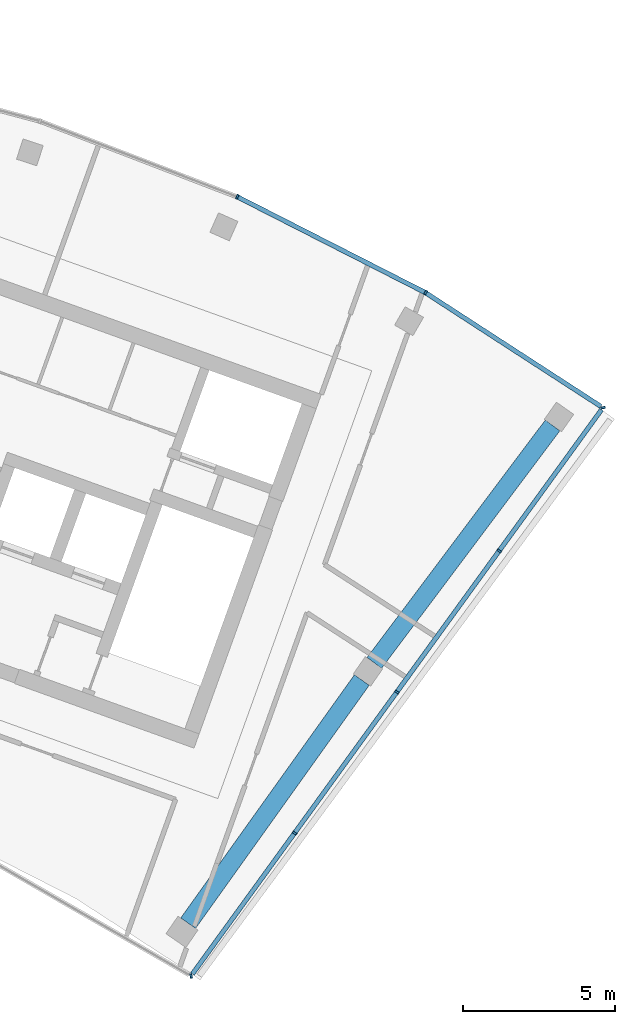
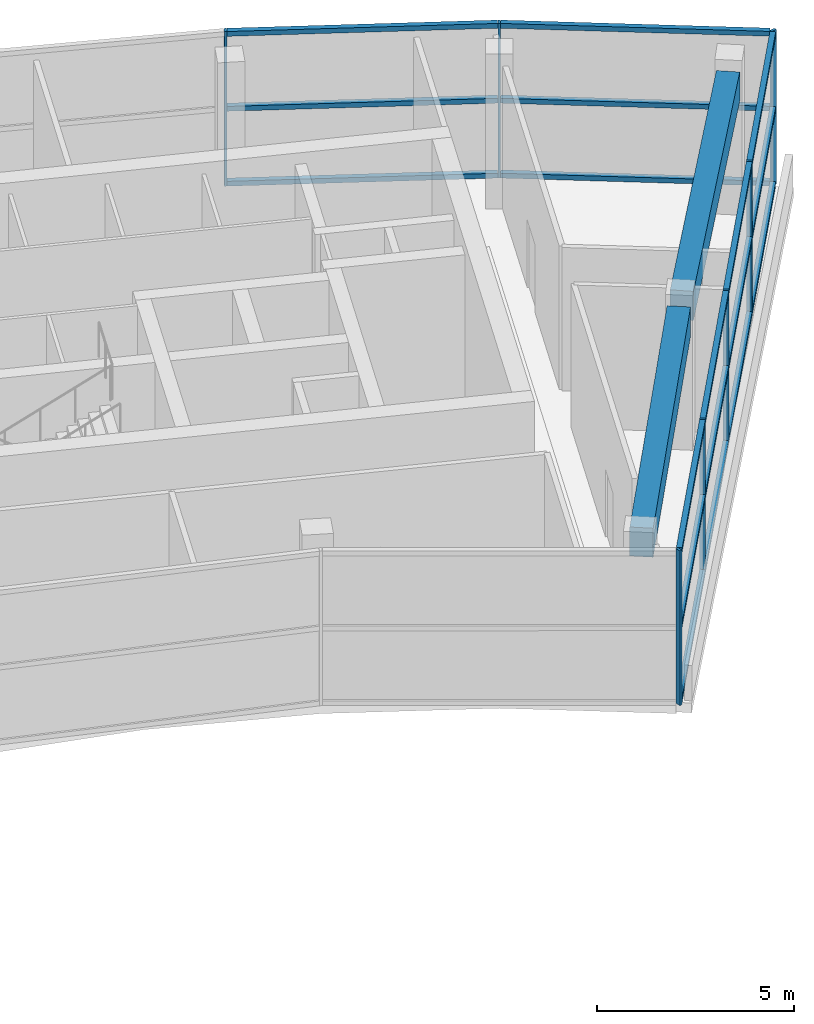
# One storey, part 6 of 13: 25 members, 2 beams, 2 elements without a shape of their own.
"""IFC4 building model written with IfcOpenShell, lengths in metres."""

from ifc_helpers import new_model, si_unit, direction, frame, origin, origin_2d, place, context, subcontext, project, spatial, rectangle, extrude, material, layer, layer_set, material_profile, profile_set, type_object, element, aggregate, save


model = new_model("IFC4")

# Units and contexts
model_context = context("Model", 3, precision=1e-05, world=origin(), true_north=direction((0.0, 1.0)))
body_context = subcontext(model_context, "Body", "Model", "MODEL_VIEW")
ifc_project = project(units=[si_unit("LENGTHUNIT", "METRE"), si_unit("AREAUNIT", "SQUARE_METRE"), si_unit("VOLUMEUNIT", "CUBIC_METRE"), si_unit("PLANEANGLEUNIT", "RADIAN"), si_unit("MASSUNIT", "GRAM", prefix="KILO")], contexts=[model_context])

# Site, building, storey
site_placement = place(None, origin())
site = spatial("IfcSite", under=ifc_project, at=site_placement, CompositionType="ELEMENT")
building_placement = place(site_placement, origin())
building = spatial("IfcBuilding", under=site, at=building_placement, Name="Stone Belt Terrace Tower", CompositionType="ELEMENT")
storey_placement = place(building_placement, frame((0.0, 0.0, 332.60009765625)))
storey = spatial("IfcBuildingStorey", under=building, at=storey_placement, Name="L79", CompositionType="ELEMENT", Elevation=332.60009765625)

# Curtain wall, members
ifc_material_1 = material(Name="Aluminium 6063-T6 anodised frame", Category="aluminium")
ifc_layer = layer(ifc_material_1, 0.14990234375)
ifc_layer_set = layer_set([ifc_layer], Name="CW-F observation floor curtain wall")
curtain_wall_type = type_object("IfcCurtainWallType", Name="CW-F observation floor curtain wall", PredefinedType="NOTDEFINED", material=ifc_layer_set)
curtain_wall_1_placement = place(storey_placement, origin())
curtain_wall_1 = element("IfcCurtainWall", 1, at=curtain_wall_1_placement, inside=storey, type_object=curtain_wall_type, Name="CW-F end face L79", PredefinedType="NOTDEFINED")
ifc_material_profile_1 = material_profile(ifc_material_1, rectangle(XDim=0.14990234375, YDim=0.070068359375, at=origin_2d()), Name="Aluminium 6063-T6 70x150")
ifc_profile_set_1 = profile_set([ifc_material_profile_1], Name="Aluminium 6063-T6 anodised frame")
member_type_1 = type_object("IfcMemberType", Name="CW-F mullion 70 x 150", PredefinedType="MULLION", material=ifc_profile_set_1)
member_1_placement = place(storey_placement, frame((25.552978515625, 35.1201171875, 0.0), z_axis=(0.0, 0.0, 1.0), x_axis=(-0.208678839388, 0.977984223795, 0.0)))
member_1 = element("IfcMember", 2, at=member_1_placement, type_object=member_type_1, Name="CW-F mullion 1", PredefinedType="MULLION", context=body_context, shape_type="SweptSolid", body=[
    extrude(rectangle(XDim=0.14990234375, YDim=0.070068359375, at=origin_2d()), origin(), (0.0, 0.0, 1.0), 4.7998046875),
])
member_2_placement = place(storey_placement, frame((28.967529296875, 39.830322265625, 0.0), z_axis=(0.0, 0.0, 1.0), x_axis=(-0.809631259696, 0.586938858249, 0.0)))
member_2 = element("IfcMember", 3, at=member_2_placement, type_object=member_type_1, Name="CW-F mullion 2", PredefinedType="MULLION", context=body_context, shape_type="SweptSolid", body=[
    extrude(rectangle(XDim=0.14990234375, YDim=0.070068359375, at=origin_2d()), origin(), (0.0, 0.0, 1.0), 4.7998046875),
])
member_3_placement = place(storey_placement, frame((32.34228515625, 44.485595703125, 0.0), z_axis=(0.0, 0.0, 1.0), x_axis=(-0.809631259696, 0.586938858249, 0.0)))
member_3 = element("IfcMember", 4, at=member_3_placement, type_object=member_type_1, Name="CW-F mullion 3", PredefinedType="MULLION", context=body_context, shape_type="SweptSolid", body=[
    extrude(rectangle(XDim=0.14990234375, YDim=0.070068359375, at=origin_2d()), origin(), (0.0, 0.0, 1.0), 4.7998046875),
])
member_4_placement = place(storey_placement, frame((35.71728515625, 49.14111328125, 0.0), z_axis=(0.0, 0.0, 1.0), x_axis=(-0.809631259696, 0.586938858249, 0.0)))
member_4 = element("IfcMember", 5, at=member_4_placement, type_object=member_type_1, Name="CW-F mullion 4", PredefinedType="MULLION", context=body_context, shape_type="SweptSolid", body=[
    extrude(rectangle(XDim=0.14990234375, YDim=0.070068359375, at=origin_2d()), origin(), (0.0, 0.0, 1.0), 4.7998046875),
])

curtain_wall_2_placement = place(storey_placement, origin())
curtain_wall_2 = element("IfcCurtainWall", 6, at=curtain_wall_2_placement, inside=storey, type_object=curtain_wall_type, Name="CW-F convex face L79", PredefinedType="NOTDEFINED")
member_5_placement = place(storey_placement, frame((39.138427734375, 53.8603515625, 0.0), z_axis=(0.0, 0.0, 1.0), x_axis=(-0.983111668219, -0.183006687889, 0.0)))
member_5 = element("IfcMember", 7, at=member_5_placement, type_object=member_type_1, Name="CW-F mullion 1", PredefinedType="MULLION", context=body_context, shape_type="SweptSolid", body=[
    extrude(rectangle(XDim=0.14990234375, YDim=0.070068359375, at=origin_2d()), origin(), (0.0, 0.0, 1.0), 4.7998046875),
])
member_6_placement = place(storey_placement, frame((33.28759765625, 57.65576171875, 0.0), z_axis=(0.0, 0.0, 1.0), x_axis=(-0.499773559824, -0.866156099615, 0.0)))
member_6 = element("IfcMember", 8, at=member_6_placement, type_object=member_type_1, Name="CW-F mullion 2", PredefinedType="MULLION", context=body_context, shape_type="SweptSolid", body=[
    extrude(rectangle(XDim=0.14990234375, YDim=0.070068359375, at=origin_2d()), origin(), (0.0, 0.0, 1.0), 4.7998046875),
])
member_7_placement = place(storey_placement, frame((27.07861328125, 60.8193359375, 0.0), z_axis=(0.0, 0.0, 1.0), x_axis=(-0.406736643076, -0.913545457643, 0.0)))
member_7 = element("IfcMember", 9, at=member_7_placement, type_object=member_type_1, Name="CW-F mullion 3", PredefinedType="MULLION", context=body_context, shape_type="SweptSolid", body=[
    extrude(rectangle(XDim=0.14990234375, YDim=0.070068359375, at=origin_2d()), origin(), (0.0, 0.0, 1.0), 4.7998046875),
])

# Member
ifc_material_profile_2 = material_profile(ifc_material_1, rectangle(XDim=0.14990234375, YDim=0.14990234375, at=origin_2d()), Name="Aluminium 6063-T6 150x150")
ifc_profile_set_2 = profile_set([ifc_material_profile_2], Name="Aluminium 6063-T6 anodised frame")
member_type_2 = type_object("IfcMemberType", Name="CW-F transom 150 x 150", PredefinedType="USERDEFINED", material=ifc_profile_set_2)
member_8_placement = place(storey_placement, frame((25.59765625, 35.181884765625, 0.074951171875), z_axis=(0.586942332435, 0.809628741088, 0.0), x_axis=(-0.809628741088, 0.586942332435, 0.0)))
member_8 = element("IfcMember", 10, at=member_8_placement, type_object=member_type_2, Name="CW-F transom 1.1", ObjectType="TRANSOM", PredefinedType="USERDEFINED", context=body_context, shape_type="SweptSolid", body=[
    extrude(rectangle(XDim=0.14990234375, YDim=0.14990234375, at=origin_2d()), origin(), (0.0, 0.0, 1.0), 5.70654296875),
])

member_9_placement = place(storey_placement, frame((25.59765625, 35.181884765625, 2.39990234375), z_axis=(0.586942332435, 0.809628741088, 0.0), x_axis=(-0.809628741088, 0.586942332435, 0.0)))
member_9 = element("IfcMember", 11, at=member_9_placement, type_object=member_type_2, Name="CW-F transom 1.2", ObjectType="TRANSOM", PredefinedType="USERDEFINED", context=body_context, shape_type="SweptSolid", body=[
    extrude(rectangle(XDim=0.14990234375, YDim=0.14990234375, at=origin_2d()), origin(), (0.0, 0.0, 1.0), 5.70654296875),
])

member_10_placement = place(storey_placement, frame((25.59765625, 35.181884765625, 4.724853515625), z_axis=(0.586942332435, 0.809628741088, 0.0), x_axis=(-0.809628741088, 0.586942332435, 0.0)))
member_10 = element("IfcMember", 12, at=member_10_placement, type_object=member_type_2, Name="CW-F transom 1.3", ObjectType="TRANSOM", PredefinedType="USERDEFINED", context=body_context, shape_type="SweptSolid", body=[
    extrude(rectangle(XDim=0.14990234375, YDim=0.14990234375, at=origin_2d()), origin(), (0.0, 0.0, 1.0), 5.70654296875),
])

member_11_placement = place(storey_placement, frame((28.988037109375, 39.858642578125, 0.074951171875), z_axis=(0.586936579405, 0.80963291173, 0.0), x_axis=(-0.80963291173, 0.586936579405, 0.0)))
member_11 = element("IfcMember", 13, at=member_11_placement, type_object=member_type_2, Name="CW-F transom 2.1", ObjectType="TRANSOM", PredefinedType="USERDEFINED", context=body_context, shape_type="SweptSolid", body=[
    extrude(rectangle(XDim=0.14990234375, YDim=0.14990234375, at=origin_2d()), origin(), (0.0, 0.0, 1.0), 5.679931640625),
])

member_12_placement = place(storey_placement, frame((28.988037109375, 39.858642578125, 2.39990234375), z_axis=(0.586936579405, 0.80963291173, 0.0), x_axis=(-0.80963291173, 0.586936579405, 0.0)))
member_12 = element("IfcMember", 14, at=member_12_placement, type_object=member_type_2, Name="CW-F transom 2.2", ObjectType="TRANSOM", PredefinedType="USERDEFINED", context=body_context, shape_type="SweptSolid", body=[
    extrude(rectangle(XDim=0.14990234375, YDim=0.14990234375, at=origin_2d()), origin(), (0.0, 0.0, 1.0), 5.679931640625),
])

member_13_placement = place(storey_placement, frame((28.988037109375, 39.858642578125, 4.724853515625), z_axis=(0.586936579405, 0.80963291173, 0.0), x_axis=(-0.80963291173, 0.586936579405, 0.0)))
member_13 = element("IfcMember", 15, at=member_13_placement, type_object=member_type_2, Name="CW-F transom 2.3", ObjectType="TRANSOM", PredefinedType="USERDEFINED", context=body_context, shape_type="SweptSolid", body=[
    extrude(rectangle(XDim=0.14990234375, YDim=0.14990234375, at=origin_2d()), origin(), (0.0, 0.0, 1.0), 5.679931640625),
])

member_14_placement = place(storey_placement, frame((32.36279296875, 44.513916015625, 0.074951171875), z_axis=(0.586944328895, 0.809627293746, 0.0), x_axis=(-0.809627293746, 0.586944328895, 0.0)))
member_14 = element("IfcMember", 16, at=member_14_placement, type_object=member_type_2, Name="CW-F transom 3.1", ObjectType="TRANSOM", PredefinedType="USERDEFINED", context=body_context, shape_type="SweptSolid", body=[
    extrude(rectangle(XDim=0.14990234375, YDim=0.14990234375, at=origin_2d()), origin(), (0.0, 0.0, 1.0), 5.68017578125),
])

member_15_placement = place(storey_placement, frame((32.36279296875, 44.513916015625, 2.39990234375), z_axis=(0.586944328895, 0.809627293746, 0.0), x_axis=(-0.809627293746, 0.586944328895, 0.0)))
member_15 = element("IfcMember", 17, at=member_15_placement, type_object=member_type_2, Name="CW-F transom 3.2", ObjectType="TRANSOM", PredefinedType="USERDEFINED", context=body_context, shape_type="SweptSolid", body=[
    extrude(rectangle(XDim=0.14990234375, YDim=0.14990234375, at=origin_2d()), origin(), (0.0, 0.0, 1.0), 5.68017578125),
])

member_16_placement = place(storey_placement, frame((32.36279296875, 44.513916015625, 4.724853515625), z_axis=(0.586944328895, 0.809627293746, 0.0), x_axis=(-0.809627293746, 0.586944328895, 0.0)))
member_16 = element("IfcMember", 18, at=member_16_placement, type_object=member_type_2, Name="CW-F transom 3.3", ObjectType="TRANSOM", PredefinedType="USERDEFINED", context=body_context, shape_type="SweptSolid", body=[
    extrude(rectangle(XDim=0.14990234375, YDim=0.14990234375, at=origin_2d()), origin(), (0.0, 0.0, 1.0), 5.68017578125),
])

member_17_placement = place(storey_placement, frame((35.73779296875, 49.16943359375, 0.074951171875), z_axis=(0.586949372298, 0.809623637475, 0.0), x_axis=(-0.809623637475, 0.586949372298, 0.0)))
member_17 = element("IfcMember", 19, at=member_17_placement, type_object=member_type_2, Name="CW-F transom 4.1", ObjectType="TRANSOM", PredefinedType="USERDEFINED", context=body_context, shape_type="SweptSolid", body=[
    extrude(rectangle(XDim=0.14990234375, YDim=0.14990234375, at=origin_2d()), origin(), (0.0, 0.0, 1.0), 5.715576171875),
])

member_18_placement = place(storey_placement, frame((35.73779296875, 49.16943359375, 2.39990234375), z_axis=(0.586949372298, 0.809623637475, 0.0), x_axis=(-0.809623637475, 0.586949372298, 0.0)))
member_18 = element("IfcMember", 20, at=member_18_placement, type_object=member_type_2, Name="CW-F transom 4.2", ObjectType="TRANSOM", PredefinedType="USERDEFINED", context=body_context, shape_type="SweptSolid", body=[
    extrude(rectangle(XDim=0.14990234375, YDim=0.14990234375, at=origin_2d()), origin(), (0.0, 0.0, 1.0), 5.715576171875),
])

member_19_placement = place(storey_placement, frame((35.73779296875, 49.16943359375, 4.724853515625), z_axis=(0.586949372298, 0.809623637475, 0.0), x_axis=(-0.809623637475, 0.586949372298, 0.0)))
member_19 = element("IfcMember", 21, at=member_19_placement, type_object=member_type_2, Name="CW-F transom 4.3", ObjectType="TRANSOM", PredefinedType="USERDEFINED", context=body_context, shape_type="SweptSolid", body=[
    extrude(rectangle(XDim=0.14990234375, YDim=0.14990234375, at=origin_2d()), origin(), (0.0, 0.0, 1.0), 5.715576171875),
])

aggregate(curtain_wall_1, [member_1, member_2, member_3, member_4, member_8, member_9, member_10, member_11, member_12, member_13, member_14, member_15, member_16, member_17, member_18, member_19])

member_20_placement = place(storey_placement, frame((39.07275390625, 53.903076171875, 0.074951171875), z_axis=(-0.838963044396, 0.544188395813, 0.0), x_axis=(-0.544188395813, -0.838963044396, 0.0)))
member_20 = element("IfcMember", 22, at=member_20_placement, type_object=member_type_2, Name="CW-F transom 1.1", ObjectType="TRANSOM", PredefinedType="USERDEFINED", context=body_context, shape_type="SweptSolid", body=[
    extrude(rectangle(XDim=0.14990234375, YDim=0.14990234375, at=origin_2d()), origin(), (0.0, 0.0, 1.0), 6.85693359375),
])

member_21_placement = place(storey_placement, frame((39.07275390625, 53.903076171875, 2.39990234375), z_axis=(-0.838963044396, 0.544188395813, 0.0), x_axis=(-0.544188395813, -0.838963044396, 0.0)))
member_21 = element("IfcMember", 23, at=member_21_placement, type_object=member_type_2, Name="CW-F transom 1.2", ObjectType="TRANSOM", PredefinedType="USERDEFINED", context=body_context, shape_type="SweptSolid", body=[
    extrude(rectangle(XDim=0.14990234375, YDim=0.14990234375, at=origin_2d()), origin(), (0.0, 0.0, 1.0), 6.85693359375),
])

member_22_placement = place(storey_placement, frame((39.07275390625, 53.903076171875, 4.724853515625), z_axis=(-0.838963044396, 0.544188395813, 0.0), x_axis=(-0.544188395813, -0.838963044396, 0.0)))
member_22 = element("IfcMember", 24, at=member_22_placement, type_object=member_type_2, Name="CW-F transom 1.3", ObjectType="TRANSOM", PredefinedType="USERDEFINED", context=body_context, shape_type="SweptSolid", body=[
    extrude(rectangle(XDim=0.14990234375, YDim=0.14990234375, at=origin_2d()), origin(), (0.0, 0.0, 1.0), 6.85693359375),
])

member_23_placement = place(storey_placement, frame((33.2529296875, 57.67333984375, 0.074951171875), z_axis=(-0.891000017498, 0.454003269613, 0.0), x_axis=(-0.454003269613, -0.891000017498, 0.0)))
member_23 = element("IfcMember", 25, at=member_23_placement, type_object=member_type_2, Name="CW-F transom 2.1", ObjectType="TRANSOM", PredefinedType="USERDEFINED", context=body_context, shape_type="SweptSolid", body=[
    extrude(rectangle(XDim=0.14990234375, YDim=0.14990234375, at=origin_2d()), origin(), (0.0, 0.0, 1.0), 6.890625),
])

member_24_placement = place(storey_placement, frame((33.2529296875, 57.67333984375, 2.39990234375), z_axis=(-0.891000017498, 0.454003269613, 0.0), x_axis=(-0.454003269613, -0.891000017498, 0.0)))
member_24 = element("IfcMember", 26, at=member_24_placement, type_object=member_type_2, Name="CW-F transom 2.2", ObjectType="TRANSOM", PredefinedType="USERDEFINED", context=body_context, shape_type="SweptSolid", body=[
    extrude(rectangle(XDim=0.14990234375, YDim=0.14990234375, at=origin_2d()), origin(), (0.0, 0.0, 1.0), 6.890625),
])

member_25_placement = place(storey_placement, frame((33.2529296875, 57.67333984375, 4.724853515625), z_axis=(-0.891000017498, 0.454003269613, 0.0), x_axis=(-0.454003269613, -0.891000017498, 0.0)))
member_25 = element("IfcMember", 27, at=member_25_placement, type_object=member_type_2, Name="CW-F transom 2.3", ObjectType="TRANSOM", PredefinedType="USERDEFINED", context=body_context, shape_type="SweptSolid", body=[
    extrude(rectangle(XDim=0.14990234375, YDim=0.14990234375, at=origin_2d()), origin(), (0.0, 0.0, 1.0), 6.890625),
])

aggregate(curtain_wall_2, [member_5, member_6, member_7, member_20, member_21, member_22, member_23, member_24, member_25])

# Beams
ifc_material_2 = material(Name="Concrete B60", Category="concrete")
ifc_material_profile_3 = material_profile(ifc_material_2, rectangle(XDim=0.60009765625, YDim=0.89990234375, at=origin_2d()), Name="RC 600x900")
ifc_profile_set_3 = profile_set([ifc_material_profile_3], Name="Concrete B60")
beam_type = type_object("IfcBeamType", Name="Edge beam RC 600x900 B60", PredefinedType="SPANDREL", material=ifc_profile_set_3)
beam_1_placement = place(storey_placement, frame((25.457275390625, 36.858154296875, 4.0), z_axis=(0.581177268813, 0.813776985553, 0.0), x_axis=(-0.813776985553, 0.581177268813, 0.0)))
element("IfcBeam", 28, at=beam_1_placement, inside=storey, type_object=beam_type, Name="Edge beam L79 B P to Q", PredefinedType="SPANDREL", context=body_context, shape_type="SweptSolid", body=[
    extrude(rectangle(XDim=0.60009765625, YDim=0.89990234375, at=origin_2d()), origin(), (0.0, 0.0, 1.0), 9.85595703125),
])
beam_2_placement = place(storey_placement, frame((31.59912109375, 45.443603515625, 4.0), z_axis=(0.600334962416, 0.799748668583, 0.0), x_axis=(-0.799748668583, 0.600334962416, 0.0)))
element("IfcBeam", 29, at=beam_2_placement, inside=storey, type_object=beam_type, Name="Edge beam L79 B Q to R", PredefinedType="SPANDREL", context=body_context, shape_type="SweptSolid", body=[
    extrude(rectangle(XDim=0.60009765625, YDim=0.89990234375, at=origin_2d()), origin(), (0.0, 0.0, 1.0), 9.79443359375),
])

save(model, "model.ifc")
